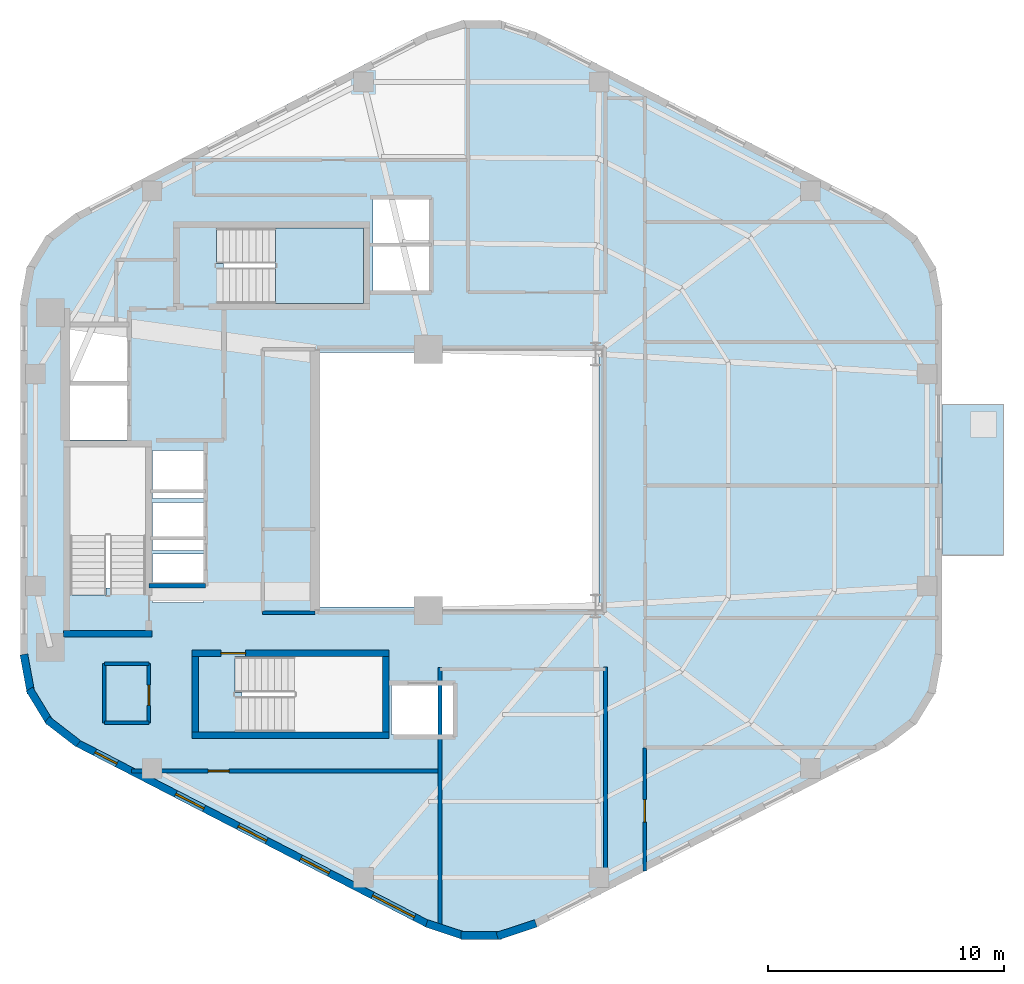
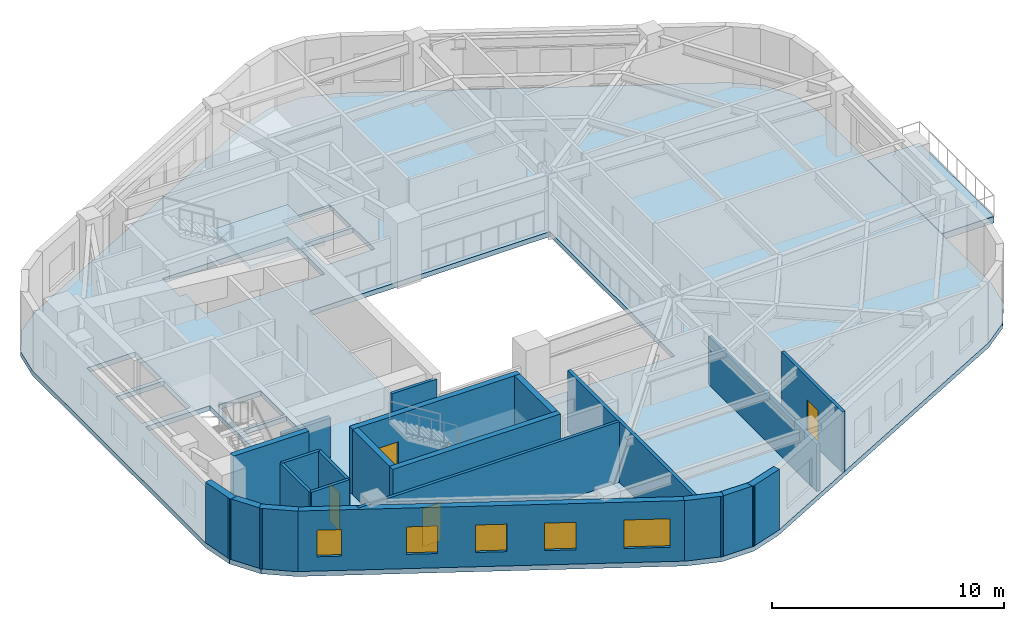
# One storey, part 2 of 7: 22 walls, 5 windows, 4 doors, 3 slabs, 9 openings, 1 element without a shape of its own.
"""IFC4 building model written with IfcOpenShell, lengths in metres."""

from ifc_helpers import new_model, si_unit, direction, frame, frame_2d, origin, place, context, subcontext, project, spatial, polyline, rectangle, outline, extrude, material, layer, layer_set, type_object, element, fill, aggregate, save


model = new_model("IFC4")

# Units and contexts
model_context = context("Model", 3, precision=1e-05, world=origin(), true_north=direction((0.0, 1.0)))
body_context = subcontext(model_context, "Body", "Model", "MODEL_VIEW")
ifc_project = project(units=[si_unit("LENGTHUNIT", "METRE"), si_unit("AREAUNIT", "SQUARE_METRE"), si_unit("VOLUMEUNIT", "CUBIC_METRE"), si_unit("PLANEANGLEUNIT", "RADIAN"), si_unit("MASSUNIT", "GRAM", prefix="KILO"), si_unit("THERMODYNAMICTEMPERATUREUNIT", "KELVIN"), si_unit("POWERUNIT", "WATT")], contexts=[model_context])

# Site, building, storey
site_placement = place(None, origin())
site = spatial("IfcSite", under=ifc_project, at=site_placement, CompositionType="ELEMENT")
building_placement = place(site_placement, origin())
building = spatial("IfcBuilding", under=site, at=building_placement, Name="Skarre Station Tower", CompositionType="ELEMENT")
storey_placement = place(building_placement, frame((0.0, 0.0, 213.699951171875)))
storey = spatial("IfcBuildingStorey", under=building, at=storey_placement, Name="L58", CompositionType="ELEMENT", Elevation=213.699951171875)

# Slab
ifc_material_1 = material(Name="Precast concrete C50/60", Category="concrete")
ifc_layer_1 = layer(ifc_material_1, 0.340087890625, Name="Precast concrete C50/60")
ifc_layer_set_1 = layer_set([ifc_layer_1], Name="Precast concrete C50/60")
slab_type_1 = type_object("IfcSlabType", Name="Planted Tree-Balcony Cantilever Slab 340", PredefinedType="FLOOR", material=ifc_layer_set_1)
slab_1_placement = place(storey_placement, frame((0.0, 0.0, -0.33984375)))
element("IfcSlab", 1, at=slab_1_placement, inside=storey, type_object=slab_type_1, Name="L58 Planted Tree-Balcony Deck TB-L58-F5", PredefinedType="FLOOR", context=body_context, shape_type="SweptSolid", body=[
    extrude(outline(polyline([(54.181884765625, 20.800048828125), (54.181884765625, 27.199951171875), (56.77197265625, 27.199951171875), (56.77197265625, 20.800048828125), (54.181884765625, 20.800048828125)])), origin(), (0.0, 0.0, 1.0), 0.33984375),
])

# Stair, slab
ifc_material_2 = material(Name="Concrete C40/50", Category="concrete")
stair_type = type_object("IfcStairType", Name="Reinforced Concrete Exit Stair ST-3", PredefinedType="HALF_TURN_STAIR", material=ifc_material_2)
stair_placement = place(storey_placement, origin())
stair = element("IfcStair", 2, at=stair_placement, inside=storey, type_object=stair_type, Name="L58 Core Exit Stair ST-3", PredefinedType="HALF_TURN_STAIR")
ifc_layer_2 = layer(ifc_material_2, 0.219970703125, Name="Concrete C40/50")
ifc_layer_set_2 = layer_set([ifc_layer_2], Name="Concrete C40/50")
slab_type_2 = type_object("IfcSlabType", Name="Reinforced Concrete Stair & Ramp Landing 220", PredefinedType="LANDING", material=ifc_layer_set_2)
slab_2_placement = place(storey_placement, frame((0.0, 0.0, 1.525146484375)))
slab_2 = element("IfcSlab", 3, at=slab_2_placement, type_object=slab_type_2, Name="ST-3 landing 1", PredefinedType="LANDING", context=body_context, shape_type="SweptSolid", body=[
    extrude(outline(polyline([(25.8701171875, 31.5), (29.60009765625, 31.5), (29.60009765625, 34.699951171875), (25.8701171875, 34.699951171875), (25.8701171875, 31.5)])), origin(), (0.0, 0.0, 1.0), 0.199951171875),
])
aggregate(stair, [slab_2])

# Slab
ifc_material_3 = material(Name="Concrete C50/60", Category="concrete")
ifc_layer_3 = layer(ifc_material_3, 0.260009765625, Name="Concrete C50/60")
ifc_layer_set_3 = layer_set([ifc_layer_3], Name="Concrete C50/60")
slab_type_3 = type_object("IfcSlabType", Name="Tower Typical Composite Floor Slab 260", PredefinedType="FLOOR", material=ifc_layer_set_3)
slab_3_placement = place(storey_placement, frame((0.0, 0.0, -0.260009765625)))
element("IfcSlab", 4, at=slab_3_placement, inside=storey, type_object=slab_type_3, Name="L58 Zone 3 Structural Floor Slab", PredefinedType="FLOOR", context=body_context, shape_type="SweptSolid", body=[
    extrude(outline(polyline([(54.172119140625, 31.501953125), (53.89208984375, 33.02294921875), (53.0869140625, 34.344970703125), (51.863037109375, 35.291015625), (36.908935546875, 43.009033203125), (35.39599609375, 43.506103515625), (33.803955078125, 43.506103515625), (32.291015625, 43.009033203125), (17.3369140625, 35.291015625), (16.113037109375, 34.344970703125), (15.30810546875, 33.02294921875), (15.028076171875, 31.501953125), (15.028076171875, 16.498046875), (15.30810546875, 14.97705078125), (16.113037109375, 13.655029296875), (17.3369140625, 12.708984375), (32.291015625, 4.990966796875), (33.803955078125, 4.493896484375), (35.39599609375, 4.493896484375), (36.908935546875, 4.990966796875), (51.863037109375, 12.708984375), (53.0869140625, 13.655029296875), (53.89208984375, 14.97705078125), (54.172119140625, 16.498046875), (54.172119140625, 31.501953125)]), holes=[polyline([(18.669921875, 19.419921875), (18.669921875, 19.123046875), (17.14990234375, 19.123046875), (17.14990234375, 25.39990234375), (20.35009765625, 25.39990234375), (20.35009765625, 19.419921875), (18.669921875, 19.419921875)]), polyline([(24.449951171875, 14.97998046875), (24.153076171875, 14.97998046875), (24.153076171875, 16.5), (30.39990234375, 16.5), (30.39990234375, 13.300048828125), (24.449951171875, 13.300048828125), (24.449951171875, 14.97998046875)]), polyline([(23.64990234375, 33.179931640625), (23.35302734375, 33.179931640625), (23.35302734375, 34.699951171875), (29.60009765625, 34.699951171875), (29.60009765625, 31.5), (23.64990234375, 31.5), (23.64990234375, 33.179931640625)]), polyline([(17.14990234375, 28.0), (19.550048828125, 28.0), (19.550048828125, 25.699951171875), (17.14990234375, 25.699951171875), (17.14990234375, 28.0)]), polyline([(17.14990234375, 30.5), (19.550048828125, 30.5), (19.550048828125, 28.199951171875), (17.14990234375, 28.199951171875), (17.14990234375, 30.5)]), polyline([(30.800048828125, 15.300048828125), (33.39990234375, 15.300048828125), (33.39990234375, 13.199951171875), (30.800048828125, 13.199951171875), (30.800048828125, 15.300048828125)]), polyline([(20.64990234375, 20.85009765625), (22.800048828125, 20.85009765625), (22.800048828125, 18.800048828125), (20.64990234375, 18.800048828125), (20.64990234375, 20.85009765625)]), polyline([(20.64990234375, 23.050048828125), (22.800048828125, 23.050048828125), (22.800048828125, 21.0), (20.64990234375, 21.0), (20.64990234375, 23.050048828125)]), polyline([(20.64990234375, 25.25), (22.800048828125, 25.25), (22.800048828125, 23.199951171875), (20.64990234375, 23.199951171875), (20.64990234375, 25.25)]), polyline([(30.0, 33.89990234375), (32.39990234375, 33.89990234375), (32.39990234375, 32.050048828125), (30.0, 32.050048828125), (30.0, 33.89990234375)]), polyline([(30.0, 35.89990234375), (32.39990234375, 35.89990234375), (32.39990234375, 34.050048828125), (30.0, 34.050048828125), (30.0, 35.89990234375)]), polyline([(27.60009765625, 29.39990234375), (39.60009765625, 29.39990234375), (39.60009765625, 18.60009765625), (27.60009765625, 18.60009765625), (27.60009765625, 29.39990234375)])]), origin(), (0.0, 0.0, 1.0), 0.260009765625),
])

# Walls
ifc_material_4 = material(Name="Acoustic Steel-Stud Gypsum Partition", Category="steel")
ifc_layer_4 = layer(ifc_material_4, 0.14990234375, Name="Acoustic Steel-Stud Gypsum Partition")
ifc_layer_set_4 = layer_set([ifc_layer_4], Name="Acoustic Steel-Stud Gypsum Partition")
wall_type_1 = type_object("IfcWallType", Name="Fire-Rated Corridor Acoustic Partition 150", PredefinedType="PARTITIONING", material=ifc_layer_set_4)
wall_1_placement = place(storey_placement, frame((25.320068359375, 18.360107421875, 0.0), z_axis=(0.0, 0.0, 1.0), x_axis=(1.0, 0.0, 0.0)))
element("IfcWall", 5, at=wall_1_placement, inside=storey, type_object=wall_type_1, Name="L58 Interior Partition WL-PT-L58-RC2-S", PredefinedType="PARTITIONING", context=body_context, shape_type="SweptSolid", body=[
    extrude(rectangle(XDim=2.22998046875, YDim=0.14990234375, at=frame_2d((1.114990234375, 0.0))), origin(), (0.0, 0.0, 1.0), 3.18994140625),
])
wall_2_placement = place(storey_placement, frame((18.60009765625, 16.199951171875, 0.0), z_axis=(0.0, 0.0, 1.0), x_axis=(0.0, -1.0, 0.0)))
element("IfcWall", 6, at=wall_2_placement, inside=storey, type_object=wall_type_1, Name="L58 Interior Partition WL-PT-L58-CSVC-W", PredefinedType="PARTITIONING", context=body_context, shape_type="SweptSolid", body=[
    extrude(rectangle(XDim=2.52001953125, YDim=0.14990234375, at=frame_2d((1.260009765625, 0.0))), origin(), (0.0, 0.0, 1.0), 3.18994140625),
])
for number, where, z_axis, x_axis, name in (
    (7, (18.60009765625, 13.679931640625, 0.0), (0.0, 0.0, 1.0), (1.0, 0.0, 0.0), "L58 Interior Partition WL-PT-L58-CSVC-S"),
    (8, (18.60009765625, 16.199951171875, 0.0), (0.0, 0.0, 1.0), (1.0, 0.0, 0.0), "L58 Interior Partition WL-PT-L58-CSVC-N"),
):
    element("IfcWall", number, at=place(storey_placement, frame(where, z_axis=z_axis, x_axis=x_axis)), inside=storey, type_object=wall_type_1, Name=name, PredefinedType="PARTITIONING", context=body_context, shape_type="SweptSolid", body=[
        extrude(rectangle(XDim=1.889892578125, YDim=0.14990234375, at=frame_2d((0.94482421875, 0.0))), origin(), (0.0, 0.0, 1.0), 3.18994140625),
    ])

# Wall, opening, door
wall_3_placement = place(storey_placement, frame((20.489990234375, 13.679931640625, 0.0), z_axis=(0.0, 0.0, 1.0), x_axis=(0.0, 1.0, 0.0)))
wall_3 = element("IfcWall", 9, at=wall_3_placement, inside=storey, type_object=wall_type_1, Name="L58 Interior Partition WL-PT-L58-CSVC-E", PredefinedType="PARTITIONING", context=body_context, shape_type="SweptSolid", body=[
    extrude(rectangle(XDim=2.52001953125, YDim=0.14990234375, at=frame_2d((1.260009765625, 0.0))), origin(), (0.0, 0.0, 1.0), 3.18994140625),
])
opening_1_placement = place(wall_3_placement, frame((0.75, 0.0, 0.0)))
opening_1 = element("IfcOpeningElement", 10, at=opening_1_placement, cuts=wall_3, Name="Opening DR-SVC86", PredefinedType="OPENING", context=body_context, shape_type="SweptSolid", body=[
    extrude(rectangle(XDim=0.860107421875, YDim=2.0, at=frame_2d((0.43017578125, 1.0))), frame((0.0, 0.0849609375, 0.0), z_axis=(0.0, -1.0, 0.0), x_axis=(1.0, 0.0, 0.0)), (0.0, 0.0, 1.0), 0.169921875),
])
ifc_material_5 = material(Name="Powder-Coated Hollow-Metal Acoustic Fire Leaf", Category="steel")
door_type_1 = type_object("IfcDoorType", Name="Compact Riser Fire Door FD60 860x2100", OperationType="SINGLE_SWING_LEFT", PredefinedType="DOOR", material=ifc_material_5)
door_1_placement = place(opening_1_placement, origin())
door_1 = element("IfcDoor", 11, at=door_1_placement, inside=storey, type_object=door_type_1, Name="L58 Supply Room Door", OperationType="SINGLE_SWING_LEFT", OverallHeight=2.0, OverallWidth=0.860107421875, PredefinedType="DOOR", context=body_context, shape_type="SweptSolid", body=[
    extrude(rectangle(XDim=0.860107421875, YDim=2.0, at=frame_2d((0.43017578125, 1.0))), frame((0.0, 0.02490234375, 0.0), z_axis=(0.0, -1.0, 0.0), x_axis=(1.0, 0.0, 0.0)), (0.0, 0.0, 1.0), 0.050048828125),
])
fill(opening_1, door_1)

wall_4_placement = place(storey_placement, frame((19.757080078125, 11.639892578125, 0.0), z_axis=(0.0, 0.0, 1.0), x_axis=(1.0, 0.0, 0.0)))
wall_4 = element("IfcWall", 12, at=wall_4_placement, inside=storey, type_object=wall_type_1, Name="L58 Interior Partition WL-PT-L58-SWP-N", PredefinedType="PARTITIONING", context=body_context, shape_type="SweptSolid", body=[
    extrude(rectangle(XDim=13.093017578125, YDim=0.14990234375, at=frame_2d((6.54638671875, 0.0))), origin(), (0.0, 0.0, 1.0), 3.18994140625),
])
opening_2_placement = place(wall_4_placement, frame((3.242919921875, 0.0, 0.0)))
opening_2 = element("IfcOpeningElement", 13, at=opening_2_placement, cuts=wall_4, Name="Opening DR-SVC90", PredefinedType="OPENING", context=body_context, shape_type="SweptSolid", body=[
    extrude(rectangle(XDim=0.89990234375, YDim=2.0, at=frame_2d((0.449951171875, 1.0))), frame((0.0, 0.0849609375, 0.0), z_axis=(0.0, -1.0, 0.0), x_axis=(1.0, 0.0, 0.0)), (0.0, 0.0, 1.0), 0.169921875),
])
door_type_2 = type_object("IfcDoorType", Name="Service & Riser Fire Door FD60 900x2100", OperationType="SINGLE_SWING_LEFT", PredefinedType="DOOR", material=ifc_material_5)
door_2_placement = place(opening_2_placement, origin())
door_2 = element("IfcDoor", 14, at=door_2_placement, inside=storey, type_object=door_type_2, Name="L58 Floor Public Toilets Door", OperationType="SINGLE_SWING_LEFT", OverallHeight=2.0, OverallWidth=0.89990234375, PredefinedType="DOOR", context=body_context, shape_type="SweptSolid", body=[
    extrude(rectangle(XDim=0.89990234375, YDim=2.0, at=frame_2d((0.449951171875, 1.0))), frame((0.0, 0.02490234375, 0.0), z_axis=(0.0, -1.0, 0.0), x_axis=(1.0, 0.0, 0.0)), (0.0, 0.0, 1.0), 0.050048828125),
])
fill(opening_2, door_2)

wall_5_placement = place(storey_placement, frame((41.5400390625, 7.39208984375, 0.0), z_axis=(0.0, 0.0, 1.0), x_axis=(0.0, 1.0, 0.0)))
wall_5 = element("IfcWall", 15, at=wall_5_placement, inside=storey, type_object=wall_type_1, Name="L58 Interior Partition WL-PT-L58-SW1-CW", PredefinedType="PARTITIONING", context=body_context, shape_type="SweptSolid", body=[
    extrude(rectangle(XDim=5.22900390625, YDim=0.14990234375, at=frame_2d((2.614501953125, 0.0))), origin(), (0.0, 0.0, 1.0), 3.18994140625),
])
opening_3_placement = place(wall_5_placement, frame((2.075927734375, 0.0, 0.0)))
opening_3 = element("IfcOpeningElement", 16, at=opening_3_placement, cuts=wall_5, Name="Opening DR-FD60", PredefinedType="OPENING", context=body_context, shape_type="SweptSolid", body=[
    extrude(rectangle(XDim=0.9599609375, YDim=2.0, at=frame_2d((0.47998046875, 1.0))), frame((0.0, 0.0849609375, 0.0), z_axis=(0.0, -1.0, 0.0), x_axis=(1.0, 0.0, 0.0)), (0.0, 0.0, 1.0), 0.169921875),
])
ifc_material_6 = material(Name="Nordic White-Oak Veneer Solid-Core Fire Leaf", Category="wood")
door_type_3 = type_object("IfcDoorType", Name="Corridor Suite Entry Fire Door FD60 960x2150", OperationType="SINGLE_SWING_LEFT", PredefinedType="DOOR", material=ifc_material_6)
door_3_placement = place(opening_3_placement, origin())
door_3 = element("IfcDoor", 17, at=door_3_placement, inside=storey, type_object=door_type_3, Name="L58 SW1 Entry Door", OperationType="SINGLE_SWING_LEFT", OverallHeight=2.0, OverallWidth=0.9599609375, PredefinedType="DOOR", context=body_context, shape_type="SweptSolid", body=[
    extrude(rectangle(XDim=0.9599609375, YDim=2.0, at=frame_2d((0.47998046875, 1.0))), frame((0.0, 0.02490234375, 0.0), z_axis=(0.0, -1.0, 0.0), x_axis=(1.0, 0.0, 0.0)), (0.0, 0.0, 1.0), 0.050048828125),
])
fill(opening_3, door_3)

# Walls
ifc_material_7 = material(Name="Precast concrete C45/55", Category="concrete")
ifc_layer_5 = layer(ifc_material_7, 0.330078125, Name="Precast concrete C45/55")
ifc_layer_set_5 = layer_set([ifc_layer_5], Name="Precast concrete C45/55")
wall_type_2 = type_object("IfcWallType", Name="Nordic Rounded Corner Precast Wall 330", PredefinedType="STANDARD", material=ifc_layer_set_5)
wall_6_placement = place(storey_placement, frame((17.489013671875, 12.800048828125, 0.0), z_axis=(0.0, 0.0, 1.0), x_axis=(-0.791409877269, 0.611285862884, 0.0)))
element("IfcWall", 18, at=wall_6_placement, inside=storey, type_object=wall_type_2, Name="L58 Rounded Corner Precast Wall F3-1", PredefinedType="STANDARD", context=body_context, shape_type="SweptSolid", body=[
    extrude(rectangle(XDim=1.676513671875, YDim=0.330078125, at=frame_2d((0.83837890625, 0.0))), origin(), (0.0, 0.0, 1.0), 3.18994140625),
])
wall_7_placement = place(storey_placement, frame((16.2880859375, 13.68505859375, 0.0), z_axis=(0.0, 0.0, 1.0), x_axis=(-0.520325409202, 0.853968072318, 0.0)))
element("IfcWall", 19, at=wall_7_placement, inside=storey, type_object=wall_type_2, Name="L58 Rounded Corner Precast Wall F3-2", PredefinedType="STANDARD", context=body_context, shape_type="SweptSolid", body=[
    extrude(rectangle(XDim=1.677978515625, YDim=0.330078125, at=frame_2d((0.8388671875, 0.0))), origin(), (0.0, 0.0, 1.0), 3.18994140625),
])
wall_8_placement = place(storey_placement, frame((15.48193359375, 14.943115234375, 0.0), z_axis=(0.0, 0.0, 1.0), x_axis=(-0.180717642671, 0.983535019014, 0.0)))
element("IfcWall", 20, at=wall_8_placement, inside=storey, type_object=wall_type_2, Name="L58 Rounded Corner Precast Wall F3-3", PredefinedType="STANDARD", context=body_context, shape_type="SweptSolid", body=[
    extrude(rectangle(XDim=1.676513671875, YDim=0.330078125, at=frame_2d((0.83837890625, 0.0))), origin(), (0.0, 0.0, 1.0), 3.18994140625),
])
wall_9_placement = place(storey_placement, frame((36.9189453125, 5.16796875, 0.0), z_axis=(0.0, 0.0, 1.0), x_axis=(-0.949937416267, -0.312440242569, 0.0)))
element("IfcWall", 21, at=wall_9_placement, inside=storey, type_object=wall_type_2, Name="L58 Rounded Corner Precast Wall F4-1", PredefinedType="STANDARD", context=body_context, shape_type="SweptSolid", body=[
    extrude(rectangle(XDim=1.72216796875, YDim=0.330078125, at=frame_2d((0.861083984375, 0.0))), origin(), (0.0, 0.0, 1.0), 3.18994140625),
])
wall_10_placement = place(storey_placement, frame((35.4609375, 4.658935546875, 0.0), z_axis=(0.0, 0.0, 1.0), x_axis=(-1.0, 0.0, 0.0)))
element("IfcWall", 22, at=wall_10_placement, inside=storey, type_object=wall_type_2, Name="L58 Rounded Corner Precast Wall F4-2", PredefinedType="STANDARD", context=body_context, shape_type="SweptSolid", body=[
    extrude(rectangle(XDim=1.721923828125, YDim=0.330078125, at=frame_2d((0.86083984375, 0.0))), origin(), (0.0, 0.0, 1.0), 3.18994140625),
])
wall_11_placement = place(storey_placement, frame((33.9169921875, 4.6298828125, 0.0), z_axis=(0.0, 0.0, 1.0), x_axis=(-0.949937416267, 0.312440242569, 0.0)))
element("IfcWall", 23, at=wall_11_placement, inside=storey, type_object=wall_type_2, Name="L58 Rounded Corner Precast Wall F4-3", PredefinedType="STANDARD", context=body_context, shape_type="SweptSolid", body=[
    extrude(rectangle(XDim=1.72216796875, YDim=0.330078125, at=frame_2d((0.861083984375, 0.0))), origin(), (0.0, 0.0, 1.0), 3.18994140625),
])

# Wall, openings, windows
ifc_layer_6 = layer(ifc_material_7, 0.31005859375, Name="Precast concrete C45/55")
ifc_layer_set_6 = layer_set([ifc_layer_6], Name="Precast concrete C45/55")
wall_type_3 = type_object("IfcWallType", Name="Nordic Upper-Zone Precast Facet Wall 310", PredefinedType="STANDARD", material=ifc_layer_set_6)
wall_12_placement = place(storey_placement, frame((32.362060546875, 5.12890625, 0.0), z_axis=(0.0, 0.0, 1.0), x_axis=(-0.888626188278, 0.458632202867, 0.0)))
wall_12 = element("IfcWall", 24, at=wall_12_placement, inside=storey, type_object=wall_type_3, Name="L58 Facet 3 Nordic Precast Masonry Wall", PredefinedType="STANDARD", context=body_context, shape_type="SweptSolid", body=[
    extrude(rectangle(XDim=16.828369140625, YDim=0.31005859375, at=frame_2d((8.4140625, 0.0))), origin(), (0.0, 0.0, 1.0), 3.18994140625),
])
opening_4_placement = place(wall_12_placement, frame((0.675048828125, 0.0, 0.75)))
opening_4 = element("IfcOpeningElement", 25, at=opening_4_placement, cuts=wall_12, Name="Opening WN-Z3A", PredefinedType="OPENING", context=body_context, shape_type="SweptSolid", body=[
    extrude(rectangle(XDim=2.0, YDim=1.5, at=frame_2d((1.0, 0.75))), frame((0.0, 0.1650390625, 0.0), z_axis=(0.0, -1.0, 0.0), x_axis=(1.0, 0.0, 0.0)), (0.0, 0.0, 1.0), 0.330078125),
])
opening_5_placement = place(wall_12_placement, frame((4.75, 0.0, 0.75)))
opening_5 = element("IfcOpeningElement", 26, at=opening_5_placement, cuts=wall_12, Name="Opening WN-Z3B", PredefinedType="OPENING", context=body_context, shape_type="SweptSolid", body=[
    extrude(rectangle(XDim=1.35009765625, YDim=1.449951171875, at=frame_2d((0.675048828125, 0.72509765625))), frame((0.0, 0.1650390625, 0.0), z_axis=(0.0, -1.0, 0.0), x_axis=(1.0, 0.0, 0.0)), (0.0, 0.0, 1.0), 0.330078125),
])
opening_6_placement = place(wall_12_placement, frame((7.739013671875, 0.0, 0.75)))
opening_6 = element("IfcOpeningElement", 27, at=opening_6_placement, cuts=wall_12, Name="Opening WN-Z3B", PredefinedType="OPENING", context=body_context, shape_type="SweptSolid", body=[
    extrude(rectangle(XDim=1.35009765625, YDim=1.449951171875, at=frame_2d((0.675048828125, 0.72509765625))), frame((0.0, 0.1650390625, 0.0), z_axis=(0.0, -1.0, 0.0), x_axis=(1.0, 0.0, 0.0)), (0.0, 0.0, 1.0), 0.330078125),
])
opening_7_placement = place(wall_12_placement, frame((10.72802734375, 0.0, 0.75)))
opening_7 = element("IfcOpeningElement", 28, at=opening_7_placement, cuts=wall_12, Name="Opening WN-Z3B", PredefinedType="OPENING", context=body_context, shape_type="SweptSolid", body=[
    extrude(rectangle(XDim=1.35009765625, YDim=1.449951171875, at=frame_2d((0.675048828125, 0.72509765625))), frame((0.0, 0.1650390625, 0.0), z_axis=(0.0, -1.0, 0.0), x_axis=(1.0, 0.0, 0.0)), (0.0, 0.0, 1.0), 0.330078125),
])
opening_8_placement = place(wall_12_placement, frame((14.885009765625, 0.0, 0.75)))
opening_8 = element("IfcOpeningElement", 29, at=opening_8_placement, cuts=wall_12, Name="Opening WN-SLT", PredefinedType="OPENING", context=body_context, shape_type="SweptSolid", body=[
    extrude(rectangle(XDim=1.050048828125, YDim=1.39990234375, at=frame_2d((0.52490234375, 0.699951171875))), frame((0.0, 0.1650390625, 0.0), z_axis=(0.0, -1.0, 0.0), x_axis=(1.0, 0.0, 0.0)), (0.0, 0.0, 1.0), 0.330078125),
])
ifc_material_8 = material(Name="Low-Iron Triple Glazing with Bronze Anodized Frame", Category="glass")
window_type_1 = type_object("IfcWindowType", Name="Nordic Corner Slot Window 1050x1400", PartitioningType="SINGLE_PANEL", PredefinedType="WINDOW", material=ifc_material_8)
window_1_placement = place(opening_8_placement, origin())
window_1 = element("IfcWindow", 30, at=window_1_placement, inside=storey, type_object=window_type_1, Name="L58 Facade Window WL-FAC-L58-F3-5", OverallHeight=1.39990234375, OverallWidth=1.050048828125, PartitioningType="SINGLE_PANEL", PredefinedType="WINDOW", context=body_context, shape_type="SweptSolid", body=[
    extrude(rectangle(XDim=1.050048828125, YDim=1.39990234375, at=frame_2d((0.52490234375, 0.699951171875))), frame((0.0, 0.030029296875, 0.0), z_axis=(0.0, -1.0, 0.0), x_axis=(1.0, 0.0, 0.0)), (0.0, 0.0, 1.0), 0.06005859375),
])
fill(opening_8, window_1)
window_type_2 = type_object("IfcWindowType", Name="Nordic Hospitality Narrow Window 1350x1450", PartitioningType="SINGLE_PANEL", PredefinedType="WINDOW", material=ifc_material_8)
window_2_placement = place(opening_5_placement, origin())
window_2 = element("IfcWindow", 31, at=window_2_placement, inside=storey, type_object=window_type_2, Name="L58 Facade Window WL-FAC-L58-F3-2", OverallHeight=1.449951171875, OverallWidth=1.35009765625, PartitioningType="SINGLE_PANEL", PredefinedType="WINDOW", context=body_context, shape_type="SweptSolid", body=[
    extrude(rectangle(XDim=1.35009765625, YDim=1.449951171875, at=frame_2d((0.675048828125, 0.72509765625))), frame((0.0, 0.030029296875, 0.0), z_axis=(0.0, -1.0, 0.0), x_axis=(1.0, 0.0, 0.0)), (0.0, 0.0, 1.0), 0.06005859375),
])
fill(opening_5, window_2)
window_3_placement = place(opening_6_placement, origin())
window_3 = element("IfcWindow", 32, at=window_3_placement, inside=storey, type_object=window_type_2, Name="L58 Facade Window WL-FAC-L58-F3-3", OverallHeight=1.449951171875, OverallWidth=1.35009765625, PartitioningType="SINGLE_PANEL", PredefinedType="WINDOW", context=body_context, shape_type="SweptSolid", body=[
    extrude(rectangle(XDim=1.35009765625, YDim=1.449951171875, at=frame_2d((0.675048828125, 0.72509765625))), frame((0.0, 0.030029296875, 0.0), z_axis=(0.0, -1.0, 0.0), x_axis=(1.0, 0.0, 0.0)), (0.0, 0.0, 1.0), 0.06005859375),
])
fill(opening_6, window_3)
window_4_placement = place(opening_7_placement, origin())
window_4 = element("IfcWindow", 33, at=window_4_placement, inside=storey, type_object=window_type_2, Name="L58 Facade Window WL-FAC-L58-F3-4", OverallHeight=1.449951171875, OverallWidth=1.35009765625, PartitioningType="SINGLE_PANEL", PredefinedType="WINDOW", context=body_context, shape_type="SweptSolid", body=[
    extrude(rectangle(XDim=1.35009765625, YDim=1.449951171875, at=frame_2d((0.675048828125, 0.72509765625))), frame((0.0, 0.030029296875, 0.0), z_axis=(0.0, -1.0, 0.0), x_axis=(1.0, 0.0, 0.0)), (0.0, 0.0, 1.0), 0.06005859375),
])
fill(opening_7, window_4)
window_type_3 = type_object("IfcWindowType", Name="Nordic Hospitality Window 2000x1500", PartitioningType="SINGLE_PANEL", PredefinedType="WINDOW", material=ifc_material_8)
window_5_placement = place(opening_4_placement, origin())
window_5 = element("IfcWindow", 34, at=window_5_placement, inside=storey, type_object=window_type_3, Name="L58 Facade Window WL-FAC-L58-F3-1", OverallHeight=1.5, OverallWidth=2.0, PartitioningType="SINGLE_PANEL", PredefinedType="WINDOW", context=body_context, shape_type="SweptSolid", body=[
    extrude(rectangle(XDim=2.0, YDim=1.5, at=frame_2d((1.0, 0.75))), frame((0.0, 0.030029296875, 0.0), z_axis=(0.0, -1.0, 0.0), x_axis=(1.0, 0.0, 0.0)), (0.0, 0.0, 1.0), 0.06005859375),
])
fill(opening_4, window_5)

# Walls
ifc_layer_7 = layer(ifc_material_3, 0.280029296875, Name="Concrete C50/60")
ifc_layer_set_7 = layer_set([ifc_layer_7], Name="Concrete C50/60")
wall_type_4 = type_object("IfcWallType", Name="RC Core Shear Wall 280", PredefinedType="SHEAR", material=ifc_layer_set_7)
wall_13_placement = place(storey_placement, frame((16.8701171875, 17.4599609375, 0.0), z_axis=(0.0, 0.0, 1.0), x_axis=(1.0, 0.0, 0.0)))
element("IfcWall", 35, at=wall_13_placement, inside=storey, type_object=wall_type_4, Name="L58 Stair ST-1 South Shear Wall", PredefinedType="SHEAR", context=body_context, shape_type="SweptSolid", body=[
    extrude(rectangle(XDim=3.759765625, YDim=0.280029296875, at=frame_2d((1.8798828125, 0.0))), origin(), (0.0, 0.0, 1.0), 3.449951171875),
])
wall_14_placement = place(storey_placement, frame((22.320068359375, 13.159912109375, 0.0), z_axis=(0.0, 0.0, 1.0), x_axis=(1.0, 0.0, 0.0)))
element("IfcWall", 36, at=wall_14_placement, inside=storey, type_object=wall_type_4, Name="L58 Stair ST-2 South Shear Wall", PredefinedType="SHEAR", context=body_context, shape_type="SweptSolid", body=[
    extrude(rectangle(XDim=8.35986328125, YDim=0.280029296875, at=frame_2d((4.179931640625, 0.0))), origin(), (0.0, 0.0, 1.0), 3.449951171875),
])

# Wall, opening, door
wall_15_placement = place(storey_placement, frame((30.679931640625, 16.639892578125, 0.0), z_axis=(0.0, 0.0, 1.0), x_axis=(-1.0, 0.0, 0.0)))
wall_15 = element("IfcWall", 37, at=wall_15_placement, inside=storey, type_object=wall_type_4, Name="L58 Stair ST-2 North Shear Wall", PredefinedType="SHEAR", context=body_context, shape_type="SweptSolid", body=[
    extrude(rectangle(XDim=8.35986328125, YDim=0.280029296875, at=frame_2d((4.179931640625, 0.0))), origin(), (0.0, 0.0, 1.0), 3.449951171875),
])
opening_9_placement = place(wall_15_placement, frame((6.080078125, 0.0, 0.0)))
opening_9 = element("IfcOpeningElement", 38, at=opening_9_placement, cuts=wall_15, Name="Opening DR-FD90", PredefinedType="OPENING", context=body_context, shape_type="SweptSolid", body=[
    extrude(rectangle(XDim=1.050048828125, YDim=2.0, at=frame_2d((0.52490234375, 1.0))), frame((0.0, 0.14990234375, 0.0), z_axis=(0.0, -1.0, 0.0), x_axis=(1.0, 0.0, 0.0)), (0.0, 0.0, 1.0), 0.300048828125),
])
ifc_material_9 = material(Name="Fire-Rated Insulated Steel Frame & Timber Core Leaf", Category="steel")
door_type_4 = type_object("IfcDoorType", Name="Stair & FSAE Lobby Fire Door FD90 1050x2150", OperationType="SINGLE_SWING_RIGHT", PredefinedType="DOOR", material=ifc_material_9)
door_4_placement = place(opening_9_placement, origin())
door_4 = element("IfcDoor", 39, at=door_4_placement, inside=storey, type_object=door_type_4, Name="L58 Stair ST-2 Exit Door", OperationType="SINGLE_SWING_RIGHT", OverallHeight=2.0, OverallWidth=1.050048828125, PredefinedType="DOOR", context=body_context, shape_type="SweptSolid", body=[
    extrude(rectangle(XDim=1.050048828125, YDim=2.0, at=frame_2d((0.52490234375, 1.0))), frame((0.0, 0.02490234375, 0.0), z_axis=(0.0, -1.0, 0.0), x_axis=(1.0, 0.0, 0.0)), (0.0, 0.0, 1.0), 0.050048828125),
])
fill(opening_9, door_4)

# Walls
for number, where, z_axis, x_axis, name in (
    (40, (22.4599609375, 16.5, 0.0), (0.0, 0.0, 1.0), (0.0, -1.0, 0.0), "L58 Stair ST-2 West Shear Wall"),
    (41, (30.5400390625, 13.300048828125, 0.0), (0.0, 0.0, 1.0), (0.0, 1.0, 0.0), "L58 Stair ST-2 East Shear Wall"),
):
    element("IfcWall", number, at=place(storey_placement, frame(where, z_axis=z_axis, x_axis=x_axis)), inside=storey, type_object=wall_type_4, Name=name, PredefinedType="SHEAR", context=body_context, shape_type="SweptSolid", body=[
        extrude(rectangle(XDim=3.199951171875, YDim=0.280029296875, at=frame_2d((1.60009765625, 0.0))), origin(), (0.0, 0.0, 1.0), 3.449951171875),
    ])
ifc_material_10 = material(Name="Gypsum Concrete Shaft Assembly C30/37", Category="concrete")
ifc_layer_8 = layer(ifc_material_10, 0.199951171875, Name="Gypsum Concrete Shaft Assembly C30/37")
ifc_layer_set_8 = layer_set([ifc_layer_8], Name="Gypsum Concrete Shaft Assembly C30/37")
wall_type_5 = type_object("IfcWallType", Name="Shaft & Core Fire Partition 200", PredefinedType="PARTITIONING", material=ifc_layer_set_8)
wall_16_placement = place(storey_placement, frame((20.489990234375, 19.5, 0.0), z_axis=(0.0, 0.0, 1.0), x_axis=(1.0, 0.0, 0.0)))
element("IfcWall", 42, at=wall_16_placement, inside=storey, type_object=wall_type_5, Name="L58 Interior Partition WL-PT-L58-B3-S", PredefinedType="PARTITIONING", context=body_context, shape_type="SweptSolid", body=[
    extrude(rectangle(XDim=2.409912109375, YDim=0.199951171875, at=frame_2d((1.205078125, 0.0))), origin(), (0.0, 0.0, 1.0), 2.090087890625),
])
ifc_layer_9 = layer(ifc_material_4, 0.1650390625, Name="Acoustic Steel-Stud Gypsum Partition")
ifc_layer_set_9 = layer_set([ifc_layer_9], Name="Acoustic Steel-Stud Gypsum Partition")
wall_type_6 = type_object("IfcWallType", Name="Suite Demising Acoustic Partition 165", PredefinedType="PARTITIONING", material=ifc_layer_set_9)
wall_17_placement = place(storey_placement, frame((32.85009765625, 4.97607421875, 0.0), z_axis=(0.0, 0.0, 1.0), x_axis=(0.0, 1.0, 0.0)))
element("IfcWall", 43, at=wall_17_placement, inside=storey, type_object=wall_type_6, Name="L58 Interior Partition WL-PT-L58-SWP-E", PredefinedType="PARTITIONING", context=body_context, shape_type="SweptSolid", body=[
    extrude(rectangle(XDim=11.053955078125, YDim=0.1650390625, at=frame_2d((5.52685546875, 0.0))), origin(), (0.0, 0.0, 1.0), 3.18994140625),
])
wall_18_placement = place(storey_placement, frame((39.8798828125, 6.7041015625, 0.0), z_axis=(0.0, 0.0, 1.0), x_axis=(0.0, 1.0, 0.0)))
element("IfcWall", 44, at=wall_18_placement, inside=storey, type_object=wall_type_6, Name="L58 Interior Partition WL-PT-L58-SWC-E", PredefinedType="PARTITIONING", context=body_context, shape_type="SweptSolid", body=[
    extrude(rectangle(XDim=9.345947265625, YDim=0.1650390625, at=frame_2d((4.6728515625, 0.0))), origin(), (0.0, 0.0, 1.0), 2.4970703125),
])

save(model, "model.ifc")
